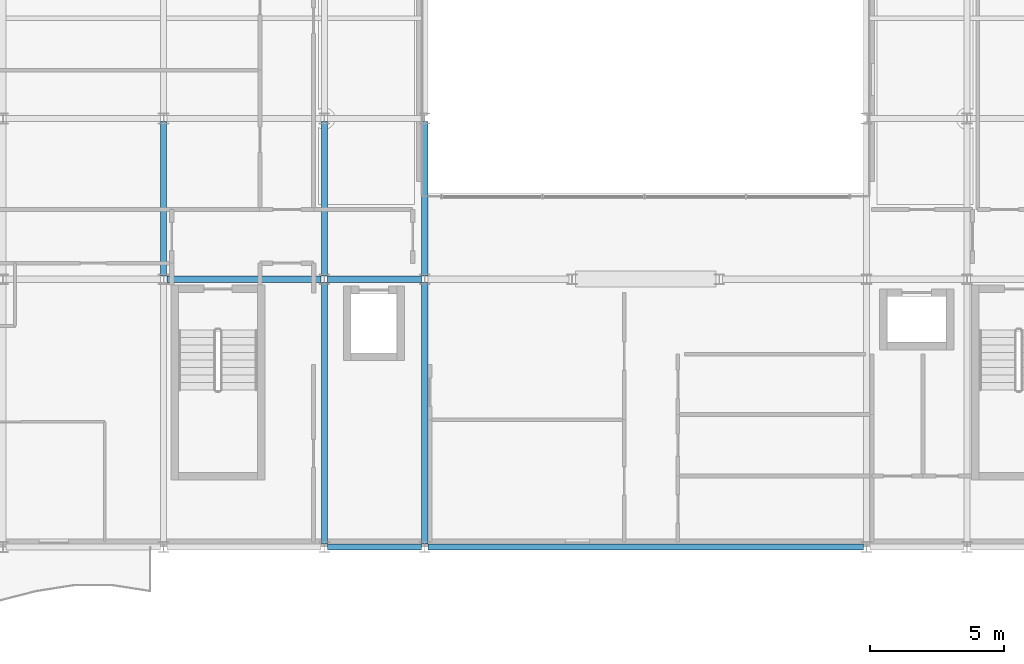
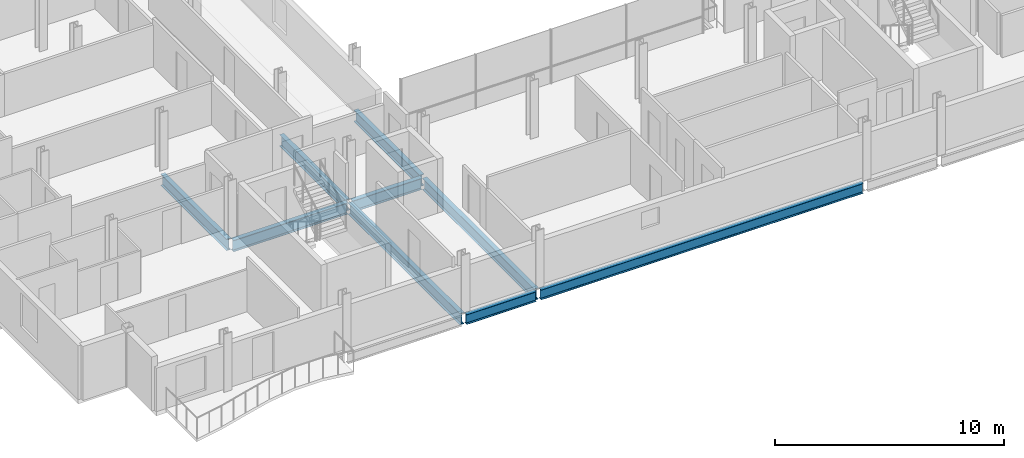
# One storey, part 5 of 41: 9 beams.
"""IFC4 building model written with IfcOpenShell, lengths in metres."""

from ifc_helpers import new_model, si_unit, direction, frame, origin, origin_2d, place, context, subcontext, project, spatial, i_section, extrude, material, material_profile, profile_set, type_object, element, save


model = new_model("IFC4")

# Units and contexts
model_context = context("Model", 3, precision=1e-05, world=origin(), true_north=direction((0.0, 1.0)))
body_context = subcontext(model_context, "Body", "Model", "MODEL_VIEW")
ifc_project = project(units=[si_unit("LENGTHUNIT", "METRE"), si_unit("AREAUNIT", "SQUARE_METRE"), si_unit("VOLUMEUNIT", "CUBIC_METRE"), si_unit("PLANEANGLEUNIT", "RADIAN"), si_unit("MASSUNIT", "GRAM", prefix="KILO")], contexts=[model_context])

# Site, building, storey
site_placement = place(None, origin())
site = spatial("IfcSite", under=ifc_project, at=site_placement, CompositionType="ELEMENT")
building_placement = place(site_placement, origin())
building = spatial("IfcBuilding", under=site, at=building_placement, Name="Brevholm Reach", CompositionType="ELEMENT")
storey_placement = place(building_placement, frame((0.0, 0.0, 151.10009765625)))
storey = spatial("IfcBuildingStorey", under=building, at=storey_placement, Name="L45", CompositionType="ELEMENT", Elevation=151.10009765625)

# Beams
ifc_material_1 = material(Name="Structural Steel S355J2", Category="steel")
ifc_material_profile_1 = material_profile(ifc_material_1, i_section(OverallWidth=0.209228515625, OverallDepth=0.533203125, WebThickness=0.010009765625, FlangeThickness=0.015625, FilletRadius=0.0126953125, at=origin_2d()), Name="UKB 533x210x92")
ifc_profile_set_1 = profile_set([ifc_material_profile_1], Name="Structural Steel S355J2")
beam_type_1 = type_object("IfcBeamType", Name="BM-SP533", PredefinedType="SPANDREL", material=ifc_profile_set_1)
beam_1_placement = place(storey_placement, frame((18.1201171875, 0.0, -0.486572265625), z_axis=(1.0, 0.0, 0.0), x_axis=(0.0, 1.0, 0.0)))
element("IfcBeam", 1, at=beam_1_placement, inside=storey, type_object=beam_type_1, Name="L45 SP-02 Framing Beam", PredefinedType="SPANDREL", context=body_context, shape_type="SweptSolid", body=[
    extrude(i_section(OverallWidth=0.209228515625, OverallDepth=0.533203125, WebThickness=0.010009765625, FlangeThickness=0.015625, FilletRadius=0.0126953125, at=origin_2d()), origin(), (0.0, 0.0, 1.0), 3.509765625),
])
beam_2_placement = place(storey_placement, frame((21.8701171875, 0.0, -0.486572265625), z_axis=(1.0, 0.0, 0.0), x_axis=(0.0, 1.0, 0.0)))
element("IfcBeam", 2, at=beam_2_placement, inside=storey, type_object=beam_type_1, Name="L45 SP-02 Framing Beam", PredefinedType="SPANDREL", context=body_context, shape_type="SweptSolid", body=[
    extrude(i_section(OverallWidth=0.209228515625, OverallDepth=0.533203125, WebThickness=0.010009765625, FlangeThickness=0.015625, FilletRadius=0.0126953125, at=origin_2d()), origin(), (0.0, 0.0, 1.0), 16.259765625),
])
ifc_material_2 = material(Name="Structural Steel S355J2", Category="steel")
ifc_material_profile_2 = material_profile(ifc_material_2, i_section(OverallWidth=0.22900390625, OverallDepth=0.6123046875, WebThickness=0.011962890625, FlangeThickness=0.01953125, FilletRadius=0.0126953125, at=origin_2d()), Name="UKB 610x229x125")
ifc_profile_set_2 = profile_set([ifc_material_profile_2], Name="Structural Steel S355J2")
beam_type_2 = type_object("IfcBeamType", Name="BM-SP610", PredefinedType="SPANDREL", material=ifc_profile_set_2)
beam_3_placement = place(storey_placement, frame((12.1201171875, 10.0, -0.526123046875), z_axis=(1.0, 0.0, 0.0), x_axis=(0.0, 1.0, 0.0)))
element("IfcBeam", 3, at=beam_3_placement, inside=storey, type_object=beam_type_2, Name="L45 SP-01 Framing Beam", PredefinedType="SPANDREL", context=body_context, shape_type="SweptSolid", body=[
    extrude(i_section(OverallWidth=0.22900390625, OverallDepth=0.6123046875, WebThickness=0.011962890625, FlangeThickness=0.01953125, FilletRadius=0.0126953125, at=origin_2d()), origin(), (0.0, 0.0, 1.0), 5.759765625),
])
beam_4_placement = place(storey_placement, frame((18.1201171875, 10.0, -0.526123046875), z_axis=(1.0, 0.0, 0.0), x_axis=(0.0, 1.0, 0.0)))
element("IfcBeam", 4, at=beam_4_placement, inside=storey, type_object=beam_type_2, Name="L45 SP-01 Framing Beam", PredefinedType="SPANDREL", context=body_context, shape_type="SweptSolid", body=[
    extrude(i_section(OverallWidth=0.22900390625, OverallDepth=0.6123046875, WebThickness=0.011962890625, FlangeThickness=0.01953125, FilletRadius=0.0126953125, at=origin_2d()), origin(), (0.0, 0.0, 1.0), 3.509765625),
])
beam_5_placement = place(storey_placement, frame((12.0, 10.1201171875, -0.526123046875), z_axis=(0.0, 1.0, 0.0), x_axis=(-1.0, 0.0, 0.0)))
element("IfcBeam", 5, at=beam_5_placement, inside=storey, type_object=beam_type_2, Name="L45 SP-01 Framing Beam", PredefinedType="SPANDREL", context=body_context, shape_type="SweptSolid", body=[
    extrude(i_section(OverallWidth=0.22900390625, OverallDepth=0.6123046875, WebThickness=0.011962890625, FlangeThickness=0.01953125, FilletRadius=0.0126953125, at=origin_2d()), origin(), (0.0, 0.0, 1.0), 5.759765625),
])
beam_6_placement = place(storey_placement, frame((18.0, 0.1201171875, -0.526123046875), z_axis=(0.0, 1.0, 0.0), x_axis=(-1.0, 0.0, 0.0)))
element("IfcBeam", 6, at=beam_6_placement, inside=storey, type_object=beam_type_2, Name="L45 SP-01 Framing Beam", PredefinedType="SPANDREL", context=body_context, shape_type="SweptSolid", body=[
    extrude(i_section(OverallWidth=0.22900390625, OverallDepth=0.6123046875, WebThickness=0.011962890625, FlangeThickness=0.01953125, FilletRadius=0.0126953125, at=origin_2d()), origin(), (0.0, 0.0, 1.0), 9.759765625),
])
beam_7_placement = place(storey_placement, frame((18.0, 10.1201171875, -0.526123046875), z_axis=(0.0, 1.0, 0.0), x_axis=(-1.0, 0.0, 0.0)))
element("IfcBeam", 7, at=beam_7_placement, inside=storey, type_object=beam_type_2, Name="L45 SP-01 Framing Beam", PredefinedType="SPANDREL", context=body_context, shape_type="SweptSolid", body=[
    extrude(i_section(OverallWidth=0.22900390625, OverallDepth=0.6123046875, WebThickness=0.011962890625, FlangeThickness=0.01953125, FilletRadius=0.0126953125, at=origin_2d()), origin(), (0.0, 0.0, 1.0), 5.759765625),
])
beam_8_placement = place(storey_placement, frame((21.75, 0.1201171875, -0.526123046875), z_axis=(0.0, 1.0, 0.0), x_axis=(-1.0, 0.0, 0.0)))
element("IfcBeam", 8, at=beam_8_placement, inside=storey, type_object=beam_type_2, Name="L45 SP-01 Framing Beam", PredefinedType="SPANDREL", context=body_context, shape_type="SweptSolid", body=[
    extrude(i_section(OverallWidth=0.22900390625, OverallDepth=0.6123046875, WebThickness=0.011962890625, FlangeThickness=0.01953125, FilletRadius=0.0126953125, at=origin_2d()), origin(), (0.0, 0.0, 1.0), 9.759765625),
])
beam_9_placement = place(storey_placement, frame((21.75, 10.1201171875, -0.526123046875), z_axis=(0.0, 1.0, 0.0), x_axis=(-1.0, 0.0, 0.0)))
element("IfcBeam", 9, at=beam_9_placement, inside=storey, type_object=beam_type_2, Name="L45 SP-01 Framing Beam", PredefinedType="SPANDREL", context=body_context, shape_type="SweptSolid", body=[
    extrude(i_section(OverallWidth=0.22900390625, OverallDepth=0.6123046875, WebThickness=0.011962890625, FlangeThickness=0.01953125, FilletRadius=0.0126953125, at=origin_2d()), origin(), (0.0, 0.0, 1.0), 5.759765625),
])

save(model, "model.ifc")
